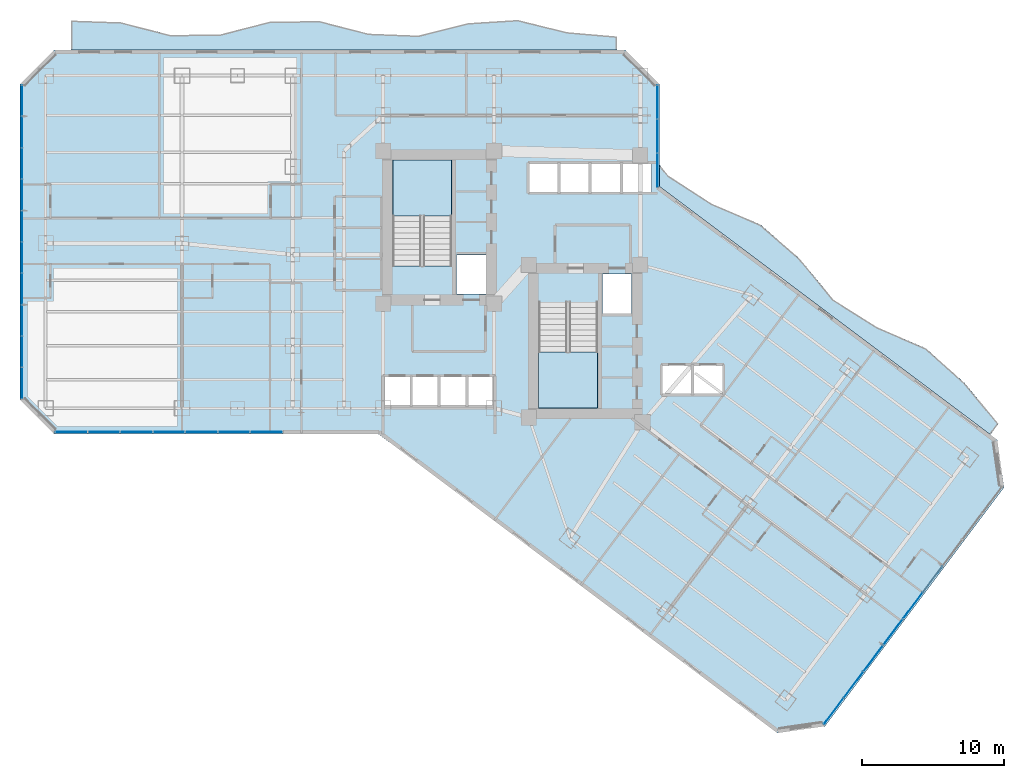
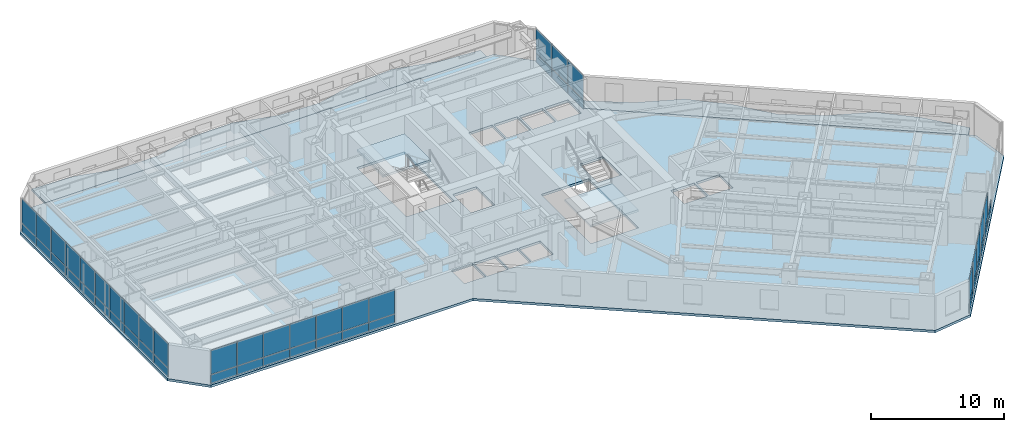
# One storey, part 20 of 37: 51 plates, 5 slabs, 6 elements without a shape of their own.
"""IFC4 building model written with IfcOpenShell, lengths in metres."""

from ifc_helpers import new_model, si_unit, direction, frame, origin, origin_2d, place, context, subcontext, project, spatial, polyline, rectangle, outline, extrude, material, layer, layer_set, type_object, element, aggregate, save


model = new_model("IFC4")

# Units and contexts
model_context = context("Model", 3, precision=1e-05, world=origin(), true_north=direction((0.0, 1.0)))
body_context = subcontext(model_context, "Body", "Model", "MODEL_VIEW")
ifc_project = project(units=[si_unit("LENGTHUNIT", "METRE"), si_unit("AREAUNIT", "SQUARE_METRE"), si_unit("VOLUMEUNIT", "CUBIC_METRE"), si_unit("PLANEANGLEUNIT", "RADIAN"), si_unit("MASSUNIT", "GRAM", prefix="KILO")], contexts=[model_context])

# Site, building, storey
site_placement = place(None, origin())
site = spatial("IfcSite", under=ifc_project, at=site_placement, CompositionType="ELEMENT")
building_placement = place(site_placement, origin())
building = spatial("IfcBuilding", under=site, at=building_placement, Name="Hatsunagi Terrace Concourse", CompositionType="ELEMENT")
storey_placement = place(building_placement, frame((0.0, 0.0, 39.949951171875)))
storey = spatial("IfcBuildingStorey", under=building, at=storey_placement, Name="L09", CompositionType="ELEMENT", Elevation=39.949951171875)

# Curtain wall, plates
ifc_material_1 = material(Name="Anodised Aluminium Alloy 6063-T5", Category="aluminium")
ifc_layer_1 = layer(ifc_material_1, 0.199951171875)
ifc_layer_set_1 = layer_set([ifc_layer_1], Name="HotelFacade_CW02")
curtain_wall_type = type_object("IfcCurtainWallType", Name="HotelFacade_CW02", PredefinedType="NOTDEFINED", material=ifc_layer_set_1)
curtain_wall_1_placement = place(storey_placement, origin())
curtain_wall_1 = element("IfcCurtainWall", 1, at=curtain_wall_1_placement, inside=storey, type_object=curtain_wall_type, Name="Unitised Curtain Wall CW-02 CW-L09-03", PredefinedType="NOTDEFINED")
ifc_material_2 = material(Name="Warm Terracotta Ceramic Spandrel Panel", Category="masonry")
ifc_layer_2 = layer(ifc_material_2, 0.031982421875)
ifc_layer_set_2 = layer_set([ifc_layer_2], Name="CurtainWallSpandrelPanel_32")
plate_type_1 = type_object("IfcPlateType", Name="CurtainWallSpandrelPanel_32", PredefinedType="SHEET", material=ifc_layer_set_2)
plate_1_placement = place(storey_placement, frame((64.219970703125, 13.159912109375, 0.030029296875), z_axis=(0.0, 0.0, 1.0), x_axis=(-0.599969314634, -0.800023013105, 0.0)))
plate_1 = element("IfcPlate", 2, at=plate_1_placement, type_object=plate_type_1, Name="Terracotta Spandrel Panel SPN-01", PredefinedType="SHEET", context=body_context, shape_type="SweptSolid", body=[
    extrude(rectangle(XDim=2.264892578125, YDim=0.031982421875, at=origin_2d()), origin(), (0.0, 0.0, 1.0), 0.7900390625),
])
plate_2_placement = place(storey_placement, frame((62.827880859375, 11.303955078125, 0.030029296875), z_axis=(0.0, 0.0, 1.0), x_axis=(-0.599969314634, -0.800023013105, 0.0)))
plate_2 = element("IfcPlate", 3, at=plate_2_placement, type_object=plate_type_1, Name="Terracotta Spandrel Panel SPN-01", PredefinedType="SHEET", context=body_context, shape_type="SweptSolid", body=[
    extrude(rectangle(XDim=2.264892578125, YDim=0.031982421875, at=origin_2d()), origin(), (0.0, 0.0, 1.0), 0.7900390625),
])
plate_3_placement = place(storey_placement, frame((61.43603515625, 9.447998046875, 0.030029296875), z_axis=(0.0, 0.0, 1.0), x_axis=(-0.599969314634, -0.800023013105, 0.0)))
plate_3 = element("IfcPlate", 4, at=plate_3_placement, type_object=plate_type_1, Name="Terracotta Spandrel Panel SPN-01", PredefinedType="SHEET", context=body_context, shape_type="SweptSolid", body=[
    extrude(rectangle(XDim=2.264892578125, YDim=0.031982421875, at=origin_2d()), origin(), (0.0, 0.0, 1.0), 0.7900390625),
])
plate_4_placement = place(storey_placement, frame((60.0439453125, 7.591064453125, 0.030029296875), z_axis=(0.0, 0.0, 1.0), x_axis=(-0.599969314634, -0.800023013105, 0.0)))
plate_4 = element("IfcPlate", 5, at=plate_4_placement, type_object=plate_type_1, Name="Terracotta Spandrel Panel SPN-01", PredefinedType="SHEET", context=body_context, shape_type="SweptSolid", body=[
    extrude(rectangle(XDim=2.264892578125, YDim=0.031982421875, at=origin_2d()), origin(), (0.0, 0.0, 1.0), 0.7900390625),
])
plate_5_placement = place(storey_placement, frame((58.65087890625, 5.735107421875, 0.030029296875), z_axis=(0.0, 0.0, 1.0), x_axis=(-0.599969314634, -0.800023013105, 0.0)))
plate_5 = element("IfcPlate", 6, at=plate_5_placement, type_object=plate_type_1, Name="Terracotta Spandrel Panel SPN-01", PredefinedType="SHEET", context=body_context, shape_type="SweptSolid", body=[
    extrude(rectangle(XDim=2.264892578125, YDim=0.031982421875, at=origin_2d()), origin(), (0.0, 0.0, 1.0), 0.7900390625),
])
plate_6_placement = place(storey_placement, frame((57.259033203125, 3.8779296875, 0.030029296875), z_axis=(0.0, 0.0, 1.0), x_axis=(-0.599969314634, -0.800023013105, 0.0)))
plate_6 = element("IfcPlate", 7, at=plate_6_placement, type_object=plate_type_1, Name="Terracotta Spandrel Panel SPN-01", PredefinedType="SHEET", context=body_context, shape_type="SweptSolid", body=[
    extrude(rectangle(XDim=2.264892578125, YDim=0.031982421875, at=origin_2d()), origin(), (0.0, 0.0, 1.0), 0.7900390625),
])

curtain_wall_2_placement = place(storey_placement, origin())
curtain_wall_2 = element("IfcCurtainWall", 8, at=curtain_wall_2_placement, inside=storey, type_object=curtain_wall_type, Name="Unitised Curtain Wall CW-02 CW-L09-07", PredefinedType="NOTDEFINED")
plate_7_placement = place(storey_placement, frame((17.35400390625, 23.5400390625, 0.030029296875), z_axis=(0.0, 0.0, 1.0), x_axis=(-1.0, 0.0, 0.0)))
plate_7 = element("IfcPlate", 9, at=plate_7_placement, type_object=plate_type_1, Name="Terracotta Spandrel Panel SPN-01", PredefinedType="SHEET", context=body_context, shape_type="SweptSolid", body=[
    extrude(rectangle(XDim=2.237060546875, YDim=0.031982421875, at=origin_2d()), origin(), (0.0, 0.0, 1.0), 0.7900390625),
])
plate_8_placement = place(storey_placement, frame((15.06201171875, 23.5400390625, 0.030029296875), z_axis=(0.0, 0.0, 1.0), x_axis=(-1.0, 0.0, 0.0)))
plate_8 = element("IfcPlate", 10, at=plate_8_placement, type_object=plate_type_1, Name="Terracotta Spandrel Panel SPN-01", PredefinedType="SHEET", context=body_context, shape_type="SweptSolid", body=[
    extrude(rectangle(XDim=2.237060546875, YDim=0.031982421875, at=origin_2d()), origin(), (0.0, 0.0, 1.0), 0.7900390625),
])
plate_9_placement = place(storey_placement, frame((12.77099609375, 23.5400390625, 0.030029296875), z_axis=(0.0, 0.0, 1.0), x_axis=(-1.0, 0.0, 0.0)))
plate_9 = element("IfcPlate", 11, at=plate_9_placement, type_object=plate_type_1, Name="Terracotta Spandrel Panel SPN-01", PredefinedType="SHEET", context=body_context, shape_type="SweptSolid", body=[
    extrude(rectangle(XDim=2.237060546875, YDim=0.031982421875, at=origin_2d()), origin(), (0.0, 0.0, 1.0), 0.7900390625),
])
plate_10_placement = place(storey_placement, frame((10.47900390625, 23.5400390625, 0.030029296875), z_axis=(0.0, 0.0, 1.0), x_axis=(-1.0, 0.0, 0.0)))
plate_10 = element("IfcPlate", 12, at=plate_10_placement, type_object=plate_type_1, Name="Terracotta Spandrel Panel SPN-01", PredefinedType="SHEET", context=body_context, shape_type="SweptSolid", body=[
    extrude(rectangle(XDim=2.237060546875, YDim=0.031982421875, at=origin_2d()), origin(), (0.0, 0.0, 1.0), 0.7900390625),
])
plate_11_placement = place(storey_placement, frame((8.18701171875, 23.5400390625, 0.030029296875), z_axis=(0.0, 0.0, 1.0), x_axis=(-1.0, 0.0, 0.0)))
plate_11 = element("IfcPlate", 13, at=plate_11_placement, type_object=plate_type_1, Name="Terracotta Spandrel Panel SPN-01", PredefinedType="SHEET", context=body_context, shape_type="SweptSolid", body=[
    extrude(rectangle(XDim=2.237060546875, YDim=0.031982421875, at=origin_2d()), origin(), (0.0, 0.0, 1.0), 0.7900390625),
])
plate_12_placement = place(storey_placement, frame((5.89599609375, 23.5400390625, 0.030029296875), z_axis=(0.0, 0.0, 1.0), x_axis=(-1.0, 0.0, 0.0)))
plate_12 = element("IfcPlate", 14, at=plate_12_placement, type_object=plate_type_1, Name="Terracotta Spandrel Panel SPN-01", PredefinedType="SHEET", context=body_context, shape_type="SweptSolid", body=[
    extrude(rectangle(XDim=2.237060546875, YDim=0.031982421875, at=origin_2d()), origin(), (0.0, 0.0, 1.0), 0.7900390625),
])
plate_13_placement = place(storey_placement, frame((3.60400390625, 23.5400390625, 0.030029296875), z_axis=(0.0, 0.0, 1.0), x_axis=(-1.0, 0.0, 0.0)))
plate_13 = element("IfcPlate", 15, at=plate_13_placement, type_object=plate_type_1, Name="Terracotta Spandrel Panel SPN-01", PredefinedType="SHEET", context=body_context, shape_type="SweptSolid", body=[
    extrude(rectangle(XDim=2.237060546875, YDim=0.031982421875, at=origin_2d()), origin(), (0.0, 0.0, 1.0), 0.7900390625),
])

curtain_wall_3_placement = place(storey_placement, origin())
curtain_wall_3 = element("IfcCurtainWall", 16, at=curtain_wall_3_placement, inside=storey, type_object=curtain_wall_type, Name="Unitised Curtain Wall CW-02 CW-L09-09", PredefinedType="NOTDEFINED")
plate_14_placement = place(storey_placement, frame((0.139892578125, 26.9619140625, 0.030029296875), z_axis=(0.0, 0.0, 1.0), x_axis=(0.0, 1.0, 0.0)))
plate_14 = element("IfcPlate", 17, at=plate_14_placement, type_object=plate_type_1, Name="Terracotta Spandrel Panel SPN-01", PredefinedType="SHEET", context=body_context, shape_type="SweptSolid", body=[
    extrude(rectangle(XDim=2.153076171875, YDim=0.031982421875, at=origin_2d()), origin(), (0.0, 0.0, 1.0), 0.7900390625),
])
plate_15_placement = place(storey_placement, frame((0.139892578125, 29.1708984375, 0.030029296875), z_axis=(0.0, 0.0, 1.0), x_axis=(0.0, 1.0, 0.0)))
plate_15 = element("IfcPlate", 18, at=plate_15_placement, type_object=plate_type_1, Name="Terracotta Spandrel Panel SPN-01", PredefinedType="SHEET", context=body_context, shape_type="SweptSolid", body=[
    extrude(rectangle(XDim=2.153076171875, YDim=0.031982421875, at=origin_2d()), origin(), (0.0, 0.0, 1.0), 0.7900390625),
])
plate_16_placement = place(storey_placement, frame((0.139892578125, 31.37890625, 0.030029296875), z_axis=(0.0, 0.0, 1.0), x_axis=(0.0, 1.0, 0.0)))
plate_16 = element("IfcPlate", 19, at=plate_16_placement, type_object=plate_type_1, Name="Terracotta Spandrel Panel SPN-01", PredefinedType="SHEET", context=body_context, shape_type="SweptSolid", body=[
    extrude(rectangle(XDim=2.153076171875, YDim=0.031982421875, at=origin_2d()), origin(), (0.0, 0.0, 1.0), 0.7900390625),
])
plate_17_placement = place(storey_placement, frame((0.139892578125, 33.5869140625, 0.030029296875), z_axis=(0.0, 0.0, 1.0), x_axis=(0.0, 1.0, 0.0)))
plate_17 = element("IfcPlate", 20, at=plate_17_placement, type_object=plate_type_1, Name="Terracotta Spandrel Panel SPN-01", PredefinedType="SHEET", context=body_context, shape_type="SweptSolid", body=[
    extrude(rectangle(XDim=2.153076171875, YDim=0.031982421875, at=origin_2d()), origin(), (0.0, 0.0, 1.0), 0.7900390625),
])
plate_18_placement = place(storey_placement, frame((0.139892578125, 35.7958984375, 0.030029296875), z_axis=(0.0, 0.0, 1.0), x_axis=(0.0, 1.0, 0.0)))
plate_18 = element("IfcPlate", 21, at=plate_18_placement, type_object=plate_type_1, Name="Terracotta Spandrel Panel SPN-01", PredefinedType="SHEET", context=body_context, shape_type="SweptSolid", body=[
    extrude(rectangle(XDim=2.153076171875, YDim=0.031982421875, at=origin_2d()), origin(), (0.0, 0.0, 1.0), 0.7900390625),
])
plate_19_placement = place(storey_placement, frame((0.139892578125, 38.00390625, 0.030029296875), z_axis=(0.0, 0.0, 1.0), x_axis=(0.0, 1.0, 0.0)))
plate_19 = element("IfcPlate", 22, at=plate_19_placement, type_object=plate_type_1, Name="Terracotta Spandrel Panel SPN-01", PredefinedType="SHEET", context=body_context, shape_type="SweptSolid", body=[
    extrude(rectangle(XDim=2.153076171875, YDim=0.031982421875, at=origin_2d()), origin(), (0.0, 0.0, 1.0), 0.7900390625),
])
plate_20_placement = place(storey_placement, frame((0.139892578125, 40.212890625, 0.030029296875), z_axis=(0.0, 0.0, 1.0), x_axis=(0.0, 1.0, 0.0)))
plate_20 = element("IfcPlate", 23, at=plate_20_placement, type_object=plate_type_1, Name="Terracotta Spandrel Panel SPN-01", PredefinedType="SHEET", context=body_context, shape_type="SweptSolid", body=[
    extrude(rectangle(XDim=2.153076171875, YDim=0.031982421875, at=origin_2d()), origin(), (0.0, 0.0, 1.0), 0.7900390625),
])
plate_21_placement = place(storey_placement, frame((0.139892578125, 42.4208984375, 0.030029296875), z_axis=(0.0, 0.0, 1.0), x_axis=(0.0, 1.0, 0.0)))
plate_21 = element("IfcPlate", 24, at=plate_21_placement, type_object=plate_type_1, Name="Terracotta Spandrel Panel SPN-01", PredefinedType="SHEET", context=body_context, shape_type="SweptSolid", body=[
    extrude(rectangle(XDim=2.153076171875, YDim=0.031982421875, at=origin_2d()), origin(), (0.0, 0.0, 1.0), 0.7900390625),
])
plate_22_placement = place(storey_placement, frame((0.139892578125, 44.62890625, 0.030029296875), z_axis=(0.0, 0.0, 1.0), x_axis=(0.0, 1.0, 0.0)))
plate_22 = element("IfcPlate", 25, at=plate_22_placement, type_object=plate_type_1, Name="Terracotta Spandrel Panel SPN-01", PredefinedType="SHEET", context=body_context, shape_type="SweptSolid", body=[
    extrude(rectangle(XDim=2.153076171875, YDim=0.031982421875, at=origin_2d()), origin(), (0.0, 0.0, 1.0), 0.7900390625),
])
plate_23_placement = place(storey_placement, frame((0.139892578125, 46.837890625, 0.030029296875), z_axis=(0.0, 0.0, 1.0), x_axis=(0.0, 1.0, 0.0)))
plate_23 = element("IfcPlate", 26, at=plate_23_placement, type_object=plate_type_1, Name="Terracotta Spandrel Panel SPN-01", PredefinedType="SHEET", context=body_context, shape_type="SweptSolid", body=[
    extrude(rectangle(XDim=2.153076171875, YDim=0.031982421875, at=origin_2d()), origin(), (0.0, 0.0, 1.0), 0.7900390625),
])

curtain_wall_4_placement = place(storey_placement, origin())
curtain_wall_4 = element("IfcCurtainWall", 27, at=curtain_wall_4_placement, inside=storey, type_object=curtain_wall_type, Name="Unitised Curtain Wall CW-02 CW-L09-13", PredefinedType="NOTDEFINED")
plate_24_placement = place(storey_placement, frame((44.860107421875, 46.739990234375, 0.030029296875), z_axis=(0.0, 0.0, 1.0), x_axis=(0.0, -1.0, 0.0)))
plate_24 = element("IfcPlate", 28, at=plate_24_placement, type_object=plate_type_1, Name="Terracotta Spandrel Panel SPN-01", PredefinedType="SHEET", context=body_context, shape_type="SweptSolid", body=[
    extrude(rectangle(XDim=2.34912109375, YDim=0.031982421875, at=origin_2d()), origin(), (0.0, 0.0, 1.0), 0.7900390625),
])
plate_25_placement = place(storey_placement, frame((44.860107421875, 44.3359375, 0.030029296875), z_axis=(0.0, 0.0, 1.0), x_axis=(0.0, -1.0, 0.0)))
plate_25 = element("IfcPlate", 29, at=plate_25_placement, type_object=plate_type_1, Name="Terracotta Spandrel Panel SPN-01", PredefinedType="SHEET", context=body_context, shape_type="SweptSolid", body=[
    extrude(rectangle(XDim=2.34912109375, YDim=0.031982421875, at=origin_2d()), origin(), (0.0, 0.0, 1.0), 0.7900390625),
])
plate_26_placement = place(storey_placement, frame((44.860107421875, 41.931884765625, 0.030029296875), z_axis=(0.0, 0.0, 1.0), x_axis=(0.0, -1.0, 0.0)))
plate_26 = element("IfcPlate", 30, at=plate_26_placement, type_object=plate_type_1, Name="Terracotta Spandrel Panel SPN-01", PredefinedType="SHEET", context=body_context, shape_type="SweptSolid", body=[
    extrude(rectangle(XDim=2.34912109375, YDim=0.031982421875, at=origin_2d()), origin(), (0.0, 0.0, 1.0), 0.7900390625),
])

# Plate
ifc_material_3 = material(Name="Low-E Double Insulating Glass 28mm", Category="glass")
ifc_layer_3 = layer(ifc_material_3, 0.028076171875)
ifc_layer_set_3 = layer_set([ifc_layer_3], Name="CurtainWallVisionGlass_28")
plate_type_2 = type_object("IfcPlateType", Name="CurtainWallVisionGlass_28", PredefinedType="CURTAIN_PANEL", material=ifc_layer_set_3)
plate_27_placement = place(storey_placement, frame((62.827880859375, 11.303955078125, 0.8798828125), z_axis=(0.0, 0.0, 1.0), x_axis=(-0.599969314634, -0.800023013105, 0.0)))
plate_27 = element("IfcPlate", 31, at=plate_27_placement, type_object=plate_type_2, Name="Low-E Vision Glass Panel GLZ-01", PredefinedType="CURTAIN_PANEL", context=body_context, shape_type="SweptSolid", body=[
    extrude(rectangle(XDim=2.264892578125, YDim=0.028076171875, at=origin_2d()), origin(), (0.0, 0.0, 1.0), 2.219970703125),
])

plate_28_placement = place(storey_placement, frame((61.43603515625, 9.447998046875, 0.8798828125), z_axis=(0.0, 0.0, 1.0), x_axis=(-0.599969314634, -0.800023013105, 0.0)))
plate_28 = element("IfcPlate", 32, at=plate_28_placement, type_object=plate_type_2, Name="Low-E Vision Glass Panel GLZ-01", PredefinedType="CURTAIN_PANEL", context=body_context, shape_type="SweptSolid", body=[
    extrude(rectangle(XDim=2.264892578125, YDim=0.028076171875, at=origin_2d()), origin(), (0.0, 0.0, 1.0), 2.219970703125),
])

plate_29_placement = place(storey_placement, frame((60.0439453125, 7.591064453125, 0.8798828125), z_axis=(0.0, 0.0, 1.0), x_axis=(-0.599969314634, -0.800023013105, 0.0)))
plate_29 = element("IfcPlate", 33, at=plate_29_placement, type_object=plate_type_2, Name="Low-E Vision Glass Panel GLZ-01", PredefinedType="CURTAIN_PANEL", context=body_context, shape_type="SweptSolid", body=[
    extrude(rectangle(XDim=2.264892578125, YDim=0.028076171875, at=origin_2d()), origin(), (0.0, 0.0, 1.0), 2.219970703125),
])

plate_30_placement = place(storey_placement, frame((58.65087890625, 5.735107421875, 0.8798828125), z_axis=(0.0, 0.0, 1.0), x_axis=(-0.599969314634, -0.800023013105, 0.0)))
plate_30 = element("IfcPlate", 34, at=plate_30_placement, type_object=plate_type_2, Name="Low-E Vision Glass Panel GLZ-01", PredefinedType="CURTAIN_PANEL", context=body_context, shape_type="SweptSolid", body=[
    extrude(rectangle(XDim=2.264892578125, YDim=0.028076171875, at=origin_2d()), origin(), (0.0, 0.0, 1.0), 2.219970703125),
])

plate_31_placement = place(storey_placement, frame((57.259033203125, 3.8779296875, 0.8798828125), z_axis=(0.0, 0.0, 1.0), x_axis=(-0.599969314634, -0.800023013105, 0.0)))
plate_31 = element("IfcPlate", 35, at=plate_31_placement, type_object=plate_type_2, Name="Low-E Vision Glass Panel GLZ-01", PredefinedType="CURTAIN_PANEL", context=body_context, shape_type="SweptSolid", body=[
    extrude(rectangle(XDim=2.264892578125, YDim=0.028076171875, at=origin_2d()), origin(), (0.0, 0.0, 1.0), 2.219970703125),
])

aggregate(curtain_wall_1, [plate_1, plate_2, plate_27, plate_3, plate_28, plate_4, plate_29, plate_5, plate_30, plate_6, plate_31])

plate_32_placement = place(storey_placement, frame((17.35400390625, 23.5400390625, 0.8798828125), z_axis=(0.0, 0.0, 1.0), x_axis=(-1.0, 0.0, 0.0)))
plate_32 = element("IfcPlate", 36, at=plate_32_placement, type_object=plate_type_2, Name="Low-E Vision Glass Panel GLZ-01", PredefinedType="CURTAIN_PANEL", context=body_context, shape_type="SweptSolid", body=[
    extrude(rectangle(XDim=2.237060546875, YDim=0.028076171875, at=origin_2d()), origin(), (0.0, 0.0, 1.0), 2.219970703125),
])

plate_33_placement = place(storey_placement, frame((15.06201171875, 23.5400390625, 0.8798828125), z_axis=(0.0, 0.0, 1.0), x_axis=(-1.0, 0.0, 0.0)))
plate_33 = element("IfcPlate", 37, at=plate_33_placement, type_object=plate_type_2, Name="Low-E Vision Glass Panel GLZ-01", PredefinedType="CURTAIN_PANEL", context=body_context, shape_type="SweptSolid", body=[
    extrude(rectangle(XDim=2.237060546875, YDim=0.028076171875, at=origin_2d()), origin(), (0.0, 0.0, 1.0), 2.219970703125),
])

plate_34_placement = place(storey_placement, frame((12.77099609375, 23.5400390625, 0.8798828125), z_axis=(0.0, 0.0, 1.0), x_axis=(-1.0, 0.0, 0.0)))
plate_34 = element("IfcPlate", 38, at=plate_34_placement, type_object=plate_type_2, Name="Low-E Vision Glass Panel GLZ-01", PredefinedType="CURTAIN_PANEL", context=body_context, shape_type="SweptSolid", body=[
    extrude(rectangle(XDim=2.237060546875, YDim=0.028076171875, at=origin_2d()), origin(), (0.0, 0.0, 1.0), 2.219970703125),
])

plate_35_placement = place(storey_placement, frame((10.47900390625, 23.5400390625, 0.8798828125), z_axis=(0.0, 0.0, 1.0), x_axis=(-1.0, 0.0, 0.0)))
plate_35 = element("IfcPlate", 39, at=plate_35_placement, type_object=plate_type_2, Name="Low-E Vision Glass Panel GLZ-01", PredefinedType="CURTAIN_PANEL", context=body_context, shape_type="SweptSolid", body=[
    extrude(rectangle(XDim=2.237060546875, YDim=0.028076171875, at=origin_2d()), origin(), (0.0, 0.0, 1.0), 2.219970703125),
])

plate_36_placement = place(storey_placement, frame((8.18701171875, 23.5400390625, 0.8798828125), z_axis=(0.0, 0.0, 1.0), x_axis=(-1.0, 0.0, 0.0)))
plate_36 = element("IfcPlate", 40, at=plate_36_placement, type_object=plate_type_2, Name="Low-E Vision Glass Panel GLZ-01", PredefinedType="CURTAIN_PANEL", context=body_context, shape_type="SweptSolid", body=[
    extrude(rectangle(XDim=2.237060546875, YDim=0.028076171875, at=origin_2d()), origin(), (0.0, 0.0, 1.0), 2.219970703125),
])

plate_37_placement = place(storey_placement, frame((5.89599609375, 23.5400390625, 0.8798828125), z_axis=(0.0, 0.0, 1.0), x_axis=(-1.0, 0.0, 0.0)))
plate_37 = element("IfcPlate", 41, at=plate_37_placement, type_object=plate_type_2, Name="Low-E Vision Glass Panel GLZ-01", PredefinedType="CURTAIN_PANEL", context=body_context, shape_type="SweptSolid", body=[
    extrude(rectangle(XDim=2.237060546875, YDim=0.028076171875, at=origin_2d()), origin(), (0.0, 0.0, 1.0), 2.219970703125),
])

plate_38_placement = place(storey_placement, frame((3.60400390625, 23.5400390625, 0.8798828125), z_axis=(0.0, 0.0, 1.0), x_axis=(-1.0, 0.0, 0.0)))
plate_38 = element("IfcPlate", 42, at=plate_38_placement, type_object=plate_type_2, Name="Low-E Vision Glass Panel GLZ-01", PredefinedType="CURTAIN_PANEL", context=body_context, shape_type="SweptSolid", body=[
    extrude(rectangle(XDim=2.237060546875, YDim=0.028076171875, at=origin_2d()), origin(), (0.0, 0.0, 1.0), 2.219970703125),
])

aggregate(curtain_wall_2, [plate_7, plate_32, plate_8, plate_33, plate_9, plate_34, plate_10, plate_35, plate_11, plate_36, plate_12, plate_37, plate_13, plate_38])

plate_39_placement = place(storey_placement, frame((0.139892578125, 26.9619140625, 0.8798828125), z_axis=(0.0, 0.0, 1.0), x_axis=(0.0, 1.0, 0.0)))
plate_39 = element("IfcPlate", 43, at=plate_39_placement, type_object=plate_type_2, Name="Low-E Vision Glass Panel GLZ-01", PredefinedType="CURTAIN_PANEL", context=body_context, shape_type="SweptSolid", body=[
    extrude(rectangle(XDim=2.153076171875, YDim=0.028076171875, at=origin_2d()), origin(), (0.0, 0.0, 1.0), 2.219970703125),
])

plate_40_placement = place(storey_placement, frame((0.139892578125, 29.1708984375, 0.8798828125), z_axis=(0.0, 0.0, 1.0), x_axis=(0.0, 1.0, 0.0)))
plate_40 = element("IfcPlate", 44, at=plate_40_placement, type_object=plate_type_2, Name="Low-E Vision Glass Panel GLZ-01", PredefinedType="CURTAIN_PANEL", context=body_context, shape_type="SweptSolid", body=[
    extrude(rectangle(XDim=2.153076171875, YDim=0.028076171875, at=origin_2d()), origin(), (0.0, 0.0, 1.0), 2.219970703125),
])

plate_41_placement = place(storey_placement, frame((0.139892578125, 31.37890625, 0.8798828125), z_axis=(0.0, 0.0, 1.0), x_axis=(0.0, 1.0, 0.0)))
plate_41 = element("IfcPlate", 45, at=plate_41_placement, type_object=plate_type_2, Name="Low-E Vision Glass Panel GLZ-01", PredefinedType="CURTAIN_PANEL", context=body_context, shape_type="SweptSolid", body=[
    extrude(rectangle(XDim=2.153076171875, YDim=0.028076171875, at=origin_2d()), origin(), (0.0, 0.0, 1.0), 2.219970703125),
])

plate_42_placement = place(storey_placement, frame((0.139892578125, 33.5869140625, 0.8798828125), z_axis=(0.0, 0.0, 1.0), x_axis=(0.0, 1.0, 0.0)))
plate_42 = element("IfcPlate", 46, at=plate_42_placement, type_object=plate_type_2, Name="Low-E Vision Glass Panel GLZ-01", PredefinedType="CURTAIN_PANEL", context=body_context, shape_type="SweptSolid", body=[
    extrude(rectangle(XDim=2.153076171875, YDim=0.028076171875, at=origin_2d()), origin(), (0.0, 0.0, 1.0), 2.219970703125),
])

plate_43_placement = place(storey_placement, frame((0.139892578125, 35.7958984375, 0.8798828125), z_axis=(0.0, 0.0, 1.0), x_axis=(0.0, 1.0, 0.0)))
plate_43 = element("IfcPlate", 47, at=plate_43_placement, type_object=plate_type_2, Name="Low-E Vision Glass Panel GLZ-01", PredefinedType="CURTAIN_PANEL", context=body_context, shape_type="SweptSolid", body=[
    extrude(rectangle(XDim=2.153076171875, YDim=0.028076171875, at=origin_2d()), origin(), (0.0, 0.0, 1.0), 2.219970703125),
])

plate_44_placement = place(storey_placement, frame((0.139892578125, 38.00390625, 0.8798828125), z_axis=(0.0, 0.0, 1.0), x_axis=(0.0, 1.0, 0.0)))
plate_44 = element("IfcPlate", 48, at=plate_44_placement, type_object=plate_type_2, Name="Low-E Vision Glass Panel GLZ-01", PredefinedType="CURTAIN_PANEL", context=body_context, shape_type="SweptSolid", body=[
    extrude(rectangle(XDim=2.153076171875, YDim=0.028076171875, at=origin_2d()), origin(), (0.0, 0.0, 1.0), 2.219970703125),
])

plate_45_placement = place(storey_placement, frame((0.139892578125, 40.212890625, 0.8798828125), z_axis=(0.0, 0.0, 1.0), x_axis=(0.0, 1.0, 0.0)))
plate_45 = element("IfcPlate", 49, at=plate_45_placement, type_object=plate_type_2, Name="Low-E Vision Glass Panel GLZ-01", PredefinedType="CURTAIN_PANEL", context=body_context, shape_type="SweptSolid", body=[
    extrude(rectangle(XDim=2.153076171875, YDim=0.028076171875, at=origin_2d()), origin(), (0.0, 0.0, 1.0), 2.219970703125),
])

plate_46_placement = place(storey_placement, frame((0.139892578125, 42.4208984375, 0.8798828125), z_axis=(0.0, 0.0, 1.0), x_axis=(0.0, 1.0, 0.0)))
plate_46 = element("IfcPlate", 50, at=plate_46_placement, type_object=plate_type_2, Name="Low-E Vision Glass Panel GLZ-01", PredefinedType="CURTAIN_PANEL", context=body_context, shape_type="SweptSolid", body=[
    extrude(rectangle(XDim=2.153076171875, YDim=0.028076171875, at=origin_2d()), origin(), (0.0, 0.0, 1.0), 2.219970703125),
])

plate_47_placement = place(storey_placement, frame((0.139892578125, 44.62890625, 0.8798828125), z_axis=(0.0, 0.0, 1.0), x_axis=(0.0, 1.0, 0.0)))
plate_47 = element("IfcPlate", 51, at=plate_47_placement, type_object=plate_type_2, Name="Low-E Vision Glass Panel GLZ-01", PredefinedType="CURTAIN_PANEL", context=body_context, shape_type="SweptSolid", body=[
    extrude(rectangle(XDim=2.153076171875, YDim=0.028076171875, at=origin_2d()), origin(), (0.0, 0.0, 1.0), 2.219970703125),
])

plate_48_placement = place(storey_placement, frame((0.139892578125, 46.837890625, 0.8798828125), z_axis=(0.0, 0.0, 1.0), x_axis=(0.0, 1.0, 0.0)))
plate_48 = element("IfcPlate", 52, at=plate_48_placement, type_object=plate_type_2, Name="Low-E Vision Glass Panel GLZ-01", PredefinedType="CURTAIN_PANEL", context=body_context, shape_type="SweptSolid", body=[
    extrude(rectangle(XDim=2.153076171875, YDim=0.028076171875, at=origin_2d()), origin(), (0.0, 0.0, 1.0), 2.219970703125),
])

aggregate(curtain_wall_3, [plate_14, plate_39, plate_15, plate_40, plate_16, plate_41, plate_17, plate_42, plate_18, plate_43, plate_19, plate_44, plate_20, plate_45, plate_21, plate_46, plate_22, plate_47, plate_23, plate_48])

plate_49_placement = place(storey_placement, frame((44.860107421875, 46.739990234375, 0.8798828125), z_axis=(0.0, 0.0, 1.0), x_axis=(0.0, -1.0, 0.0)))
plate_49 = element("IfcPlate", 53, at=plate_49_placement, type_object=plate_type_2, Name="Low-E Vision Glass Panel GLZ-01", PredefinedType="CURTAIN_PANEL", context=body_context, shape_type="SweptSolid", body=[
    extrude(rectangle(XDim=2.34912109375, YDim=0.028076171875, at=origin_2d()), origin(), (0.0, 0.0, 1.0), 2.219970703125),
])

plate_50_placement = place(storey_placement, frame((44.860107421875, 44.3359375, 0.8798828125), z_axis=(0.0, 0.0, 1.0), x_axis=(0.0, -1.0, 0.0)))
plate_50 = element("IfcPlate", 54, at=plate_50_placement, type_object=plate_type_2, Name="Low-E Vision Glass Panel GLZ-01", PredefinedType="CURTAIN_PANEL", context=body_context, shape_type="SweptSolid", body=[
    extrude(rectangle(XDim=2.34912109375, YDim=0.028076171875, at=origin_2d()), origin(), (0.0, 0.0, 1.0), 2.219970703125),
])

plate_51_placement = place(storey_placement, frame((44.860107421875, 41.931884765625, 0.8798828125), z_axis=(0.0, 0.0, 1.0), x_axis=(0.0, -1.0, 0.0)))
plate_51 = element("IfcPlate", 55, at=plate_51_placement, type_object=plate_type_2, Name="Low-E Vision Glass Panel GLZ-01", PredefinedType="CURTAIN_PANEL", context=body_context, shape_type="SweptSolid", body=[
    extrude(rectangle(XDim=2.34912109375, YDim=0.028076171875, at=origin_2d()), origin(), (0.0, 0.0, 1.0), 2.219970703125),
])

aggregate(curtain_wall_4, [plate_24, plate_49, plate_25, plate_50, plate_26, plate_51])

# Stair, slab
ifc_material_4 = material(Name="Concrete Fc42", Category="concrete")
stair_type = type_object("IfcStairType", Name="DoglegExitStair_Tower2000_20R_167", PredefinedType="HALF_TURN_STAIR", material=ifc_material_4)
stair_1_placement = place(storey_placement, origin())
stair_1 = element("IfcStair", 56, at=stair_1_placement, inside=storey, type_object=stair_type, Name="L09 Core A Protected Exit Stair ST-A", PredefinedType="HALF_TURN_STAIR")
ifc_material_5 = material(Name="Concrete Fc42", Category="concrete")
ifc_layer_4 = layer(ifc_material_5, 0.199951171875)
ifc_layer_set_4 = layer_set([ifc_layer_4], Name="DoglegStairLanding_Tower2000")
slab_type_1 = type_object("IfcSlabType", Name="DoglegStairLanding_Tower2000", PredefinedType="LANDING", material=ifc_layer_set_4)
slab_1_placement = place(storey_placement, frame((0.0, 0.0, 1.47509765625)))
slab_1 = element("IfcSlab", 57, at=slab_1_placement, type_object=slab_type_1, Name="ST-A landing 1", PredefinedType="LANDING", context=body_context, shape_type="SweptSolid", body=[
    extrude(outline(polyline([(30.3798828125, 38.7099609375), (30.3798828125, 42.659912109375), (26.22998046875, 42.659912109375), (26.22998046875, 38.7099609375), (30.3798828125, 38.7099609375)])), origin(), (0.0, 0.0, 1.0), 0.199951171875),
])
aggregate(stair_1, [slab_1])

stair_2_placement = place(storey_placement, origin())
stair_2 = element("IfcStair", 58, at=stair_2_placement, inside=storey, type_object=stair_type, Name="L09 Core B Protected Exit Stair ST-B", PredefinedType="HALF_TURN_STAIR")
slab_2_placement = place(storey_placement, frame((0.0, 0.0, 1.47509765625)))
slab_2 = element("IfcSlab", 59, at=slab_2_placement, type_object=slab_type_1, Name="ST-B landing 1", PredefinedType="LANDING", context=body_context, shape_type="SweptSolid", body=[
    extrude(outline(polyline([(36.5, 29.14990234375), (36.5, 25.199951171875), (40.64990234375, 25.199951171875), (40.64990234375, 29.14990234375), (36.5, 29.14990234375)])), origin(), (0.0, 0.0, 1.0), 0.199951171875),
])
aggregate(stair_2, [slab_2])

# Slabs
ifc_material_6 = material(Name="Concrete Fc42", Category="concrete")
ifc_layer_5 = layer(ifc_material_6, 0.199951171875)
ifc_layer_set_5 = layer_set([ifc_layer_5], Name="EngawaBalconySlab_Fc42_200")
slab_type_2 = type_object("IfcSlabType", Name="EngawaBalconySlab_Fc42_200", PredefinedType="FLOOR", material=ifc_layer_set_5)
slab_3_placement = place(storey_placement, frame((0.0, 0.0, -0.199951171875)))
element("IfcSlab", 60, at=slab_3_placement, inside=storey, type_object=slab_type_2, Name="Engawa Balcony Slab BAL-L09-BN", PredefinedType="FLOOR", context=body_context, shape_type="SweptSolid", body=[
    extrude(outline(polyline([(3.60009765625, 52.47607421875), (3.60009765625, 50.39990234375), (42.0, 50.39990234375), (42.0, 51.35595703125), (38.509033203125, 51.657958984375), (35.01806640625, 52.51611328125), (31.527099609375, 52.2958984375), (28.035888671875, 51.4169921875), (24.544921875, 51.552978515625), (21.054931640625, 52.445068359375), (17.56396484375, 52.39404296875), (14.072998046875, 51.4970703125), (10.58203125, 51.462890625), (7.091064453125, 52.35693359375), (3.60009765625, 52.47607421875)])), origin(), (0.0, 0.0, 1.0), 0.199951171875),
])
slab_4_placement = place(storey_placement, frame((0.0, 0.0, -0.199951171875)))
element("IfcSlab", 61, at=slab_4_placement, inside=storey, type_object=slab_type_2, Name="Engawa Balcony Slab BAL-L09-BSE", PredefinedType="FLOOR", context=body_context, shape_type="SweptSolid", body=[
    extrude(outline(polyline([(45.618896484375, 41.570068359375), (44.99609375, 42.33203125), (44.99609375, 40.802978515625), (68.280029296875, 23.340087890625), (68.85205078125, 24.10302734375), (66.464111328125, 26.97412109375), (63.75, 29.410888671875), (60.319091796875, 30.89208984375), (57.235107421875, 32.8359375), (54.85791015625, 35.720947265625), (52.113037109375, 38.116943359375), (48.672119140625, 39.5849609375), (45.618896484375, 41.570068359375)])), origin(), (0.0, 0.0, 1.0), 0.199951171875),
])
ifc_material_7 = material(Name="Concrete Fc42", Category="concrete")
ifc_layer_6 = layer(ifc_material_7, 0.219970703125)
ifc_layer_set_6 = layer_set([ifc_layer_6], Name="HotelFloorSlab_Fc42_220")
slab_type_3 = type_object("IfcSlabType", Name="HotelFloorSlab_Fc42_220", PredefinedType="FLOOR", material=ifc_layer_set_6)
slab_5_placement = place(storey_placement, frame((0.0, 0.0, -0.219970703125)))
element("IfcSlab", 62, at=slab_5_placement, inside=storey, type_object=slab_type_3, Name="Floor Slab SL-220 L09", PredefinedType="FLOOR", context=body_context, shape_type="SweptSolid", body=[
    extrude(outline(polyline([(45.0, 40.800048828125), (45.0, 48.0), (42.60009765625, 50.39990234375), (2.39990234375, 50.39990234375), (0.0, 48.0), (0.0, 25.800048828125), (2.39990234375, 23.39990234375), (25.199951171875, 23.39990234375), (53.280029296875, 2.340087890625), (56.639892578125, 2.820068359375), (69.239990234375, 19.6201171875), (68.760009765625, 22.97998046875), (45.0, 40.800048828125)]), holes=[polyline([(26.22998046875, 35.205078125), (30.3798828125, 35.205078125), (30.3798828125, 42.659912109375), (26.22998046875, 42.659912109375), (26.22998046875, 35.205078125)]), polyline([(36.5, 25.199951171875), (40.64990234375, 25.199951171875), (40.64990234375, 32.655029296875), (36.5, 32.655029296875), (36.5, 25.199951171875)]), polyline([(30.719970703125, 33.219970703125), (32.780029296875, 33.219970703125), (32.780029296875, 35.97998046875), (30.719970703125, 35.97998046875), (30.719970703125, 33.219970703125)]), polyline([(40.97998046875, 31.8798828125), (43.02001953125, 31.8798828125), (43.02001953125, 34.639892578125), (40.97998046875, 34.639892578125), (40.97998046875, 31.8798828125)]), polyline([(25.6201171875, 25.39990234375), (27.47998046875, 25.39990234375), (27.47998046875, 27.39990234375), (25.6201171875, 27.39990234375), (25.6201171875, 25.39990234375)]), polyline([(27.580078125, 25.39990234375), (29.43994140625, 25.39990234375), (29.43994140625, 27.39990234375), (27.580078125, 27.39990234375), (27.580078125, 25.39990234375)]), polyline([(29.5400390625, 25.39990234375), (31.39990234375, 25.39990234375), (31.39990234375, 27.39990234375), (29.5400390625, 27.39990234375), (29.5400390625, 25.39990234375)]), polyline([(31.5, 25.39990234375), (33.360107421875, 25.39990234375), (33.360107421875, 27.39990234375), (31.5, 27.39990234375), (31.5, 25.39990234375)]), polyline([(35.800048828125, 40.39990234375), (37.85009765625, 40.39990234375), (37.85009765625, 42.39990234375), (35.800048828125, 42.39990234375), (35.800048828125, 40.39990234375)]), polyline([(38.0, 40.39990234375), (40.050048828125, 40.39990234375), (40.050048828125, 42.39990234375), (38.0, 42.39990234375), (38.0, 40.39990234375)]), polyline([(40.199951171875, 40.39990234375), (42.25, 40.39990234375), (42.25, 42.39990234375), (40.199951171875, 42.39990234375), (40.199951171875, 40.39990234375)]), polyline([(42.39990234375, 40.39990234375), (44.449951171875, 40.39990234375), (44.449951171875, 42.39990234375), (42.39990234375, 42.39990234375), (42.39990234375, 40.39990234375)]), polyline([(45.199951171875, 26.199951171875), (47.25, 26.199951171875), (47.25, 28.199951171875), (45.199951171875, 28.199951171875), (45.199951171875, 26.199951171875)]), polyline([(47.39990234375, 26.199951171875), (49.449951171875, 26.199951171875), (49.449951171875, 28.199951171875), (47.39990234375, 28.199951171875), (47.39990234375, 26.199951171875)])]), origin(), (0.0, 0.0, 1.0), 0.219970703125),
])

save(model, "model.ifc")
